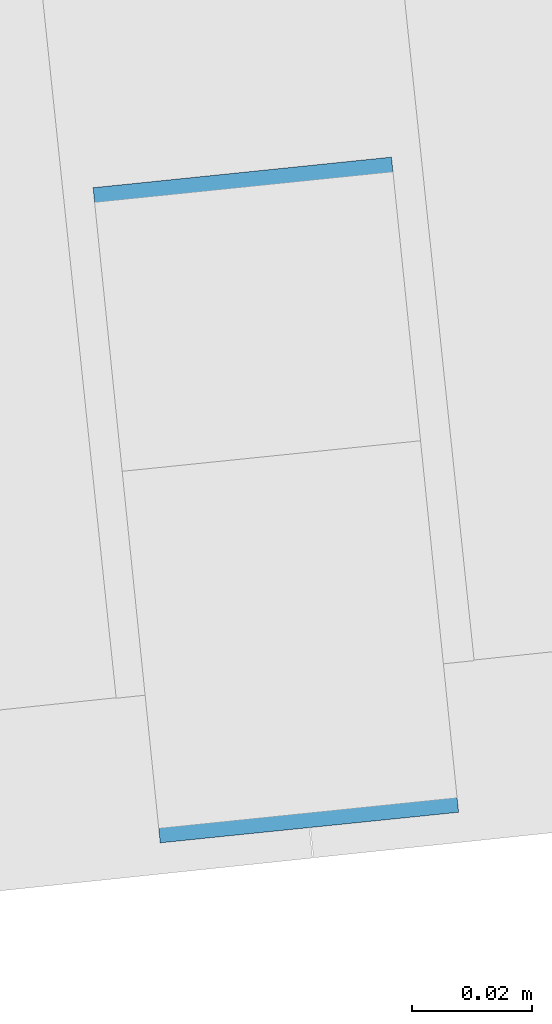
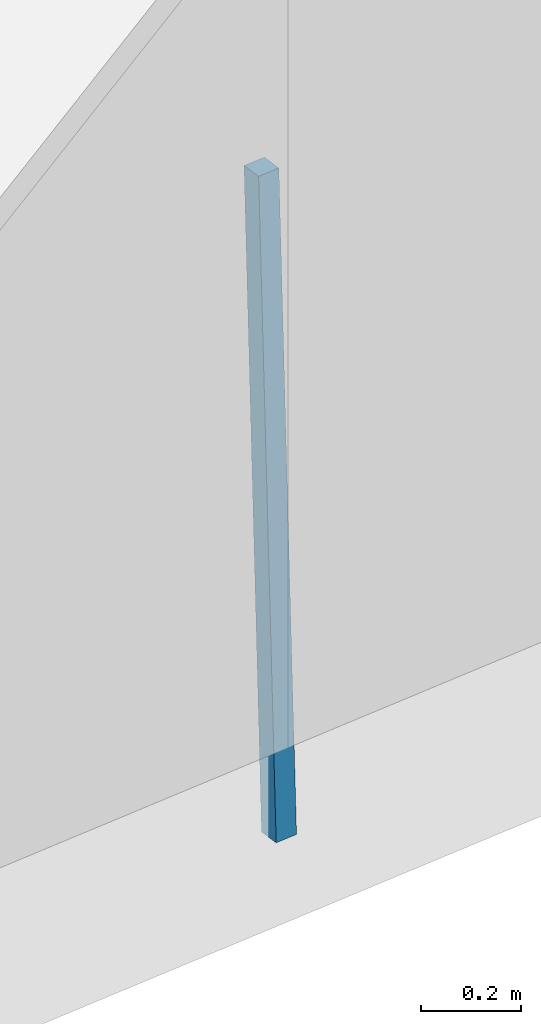
# One storey, part 21 of 41: 1 discrete accessory.
"""IFC4 building model written with IfcOpenShell, lengths in metres."""

from ifc_helpers import new_model, si_unit, direction, frame, origin, origin_2d, place, context, subcontext, project, spatial, rectangle, extrude, material, material_profile, profile_set, type_object, element, save


model = new_model("IFC4")

# Units and contexts
model_context = context("Model", 3, precision=1e-05, world=origin(), true_north=direction((0.0, 1.0)))
body_context = subcontext(model_context, "Body", "Model", "MODEL_VIEW")
ifc_project = project(units=[si_unit("LENGTHUNIT", "METRE"), si_unit("AREAUNIT", "SQUARE_METRE"), si_unit("VOLUMEUNIT", "CUBIC_METRE"), si_unit("PLANEANGLEUNIT", "RADIAN"), si_unit("MASSUNIT", "GRAM", prefix="KILO")], contexts=[model_context])

# Site, building, storey
site_placement = place(None, origin())
site = spatial("IfcSite", under=ifc_project, at=site_placement, CompositionType="ELEMENT")
building_placement = place(site_placement, origin())
building = spatial("IfcBuilding", under=site, at=building_placement, Name="Hakoniwa Tower and Hamabe Station Hall", CompositionType="ELEMENT")
storey_placement = place(building_placement, frame((0.0, 0.0, 276.60009765625)))
storey = spatial("IfcBuildingStorey", under=building, at=storey_placement, Name="L77", CompositionType="ELEMENT", Elevation=276.60009765625)

# Discrete accessory
ifc_material = material(Name="Stainless steel SUS304", Category="steel")
ifc_material_profile = material_profile(ifc_material, rectangle(XDim=0.050048828125, YDim=0.050048828125, at=origin_2d()), Name="CW-4 GLAZING BRACKET 50X50")
ifc_profile_set = profile_set([ifc_material_profile], Name="Stainless steel SUS304")
discrete_accessory_type = type_object("IfcDiscreteAccessoryType", Name="CW-4 GLAZING BRACKET 50X50", PredefinedType="BRACKET", material=ifc_profile_set)
discrete_accessory_placement = place(storey_placement, frame((-10.1982421875, -15.876708984375, 1.366455078125), z_axis=(0.003832232437, -0.037402588583, -0.999292930207), x_axis=(0.994792043555, 0.101925414299, 0.0)))
element("IfcDiscreteAccessory", 1, at=discrete_accessory_placement, inside=storey, type_object=discrete_accessory_type, Name="Glazing bracket", PredefinedType="BRACKET", context=body_context, shape_type="SweptSolid", body=[
    extrude(rectangle(XDim=0.050048828125, YDim=0.050048828125, at=origin_2d()), origin(), (0.0, 0.0, 1.0), 1.5927734375),
])

save(model, "model.ifc")
